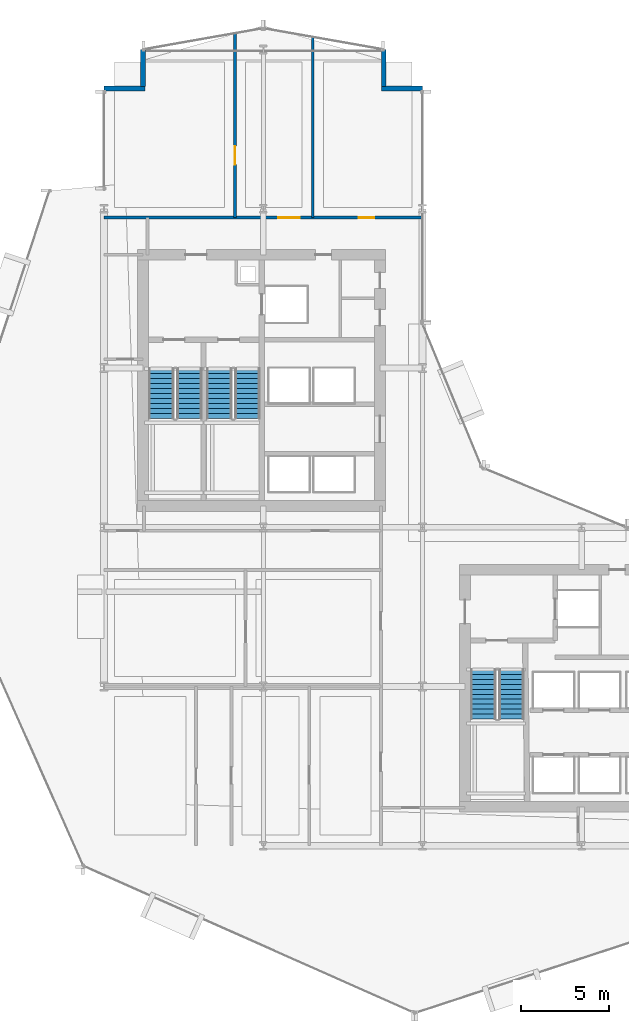
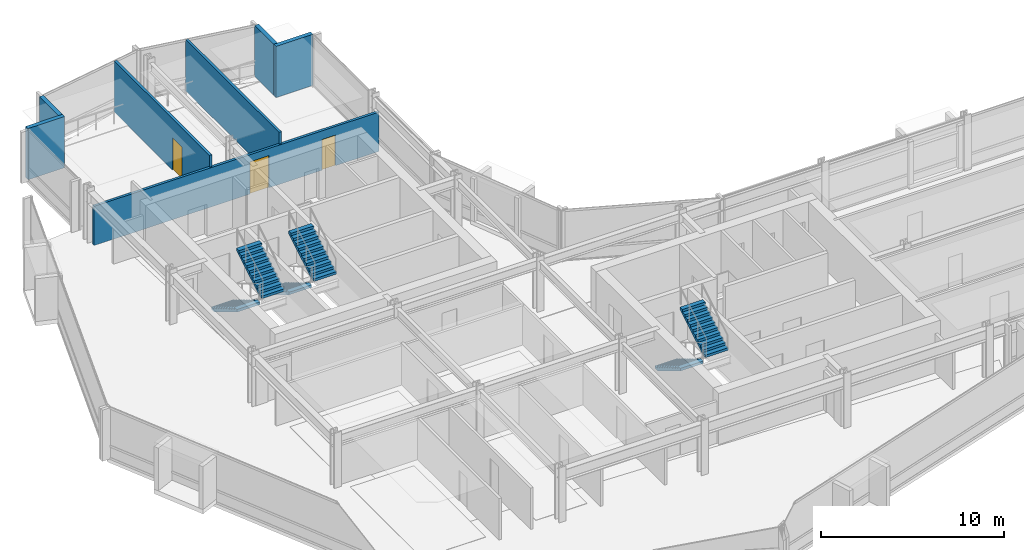
# One storey, part 29 of 34: 7 walls, 6 stair flights, 3 doors, 3 openings, 3 elements without a shape of their own.
"""IFC4 building model written with IfcOpenShell, lengths in metres."""

from ifc_helpers import new_model, si_unit, direction, frame, frame_2d, origin, place, context, subcontext, project, spatial, polyline, rectangle, outline, extrude, material, layer, layer_set, type_object, element, fill, aggregate, save


model = new_model("IFC4")

# Units and contexts
model_context = context("Model", 3, precision=1e-05, world=origin(), true_north=direction((0.0, 1.0)))
body_context = subcontext(model_context, "Body", "Model", "MODEL_VIEW")
ifc_project = project(units=[si_unit("LENGTHUNIT", "METRE"), si_unit("AREAUNIT", "SQUARE_METRE"), si_unit("VOLUMEUNIT", "CUBIC_METRE"), si_unit("PLANEANGLEUNIT", "RADIAN"), si_unit("MASSUNIT", "GRAM", prefix="KILO")], contexts=[model_context])

# Site, building, storey
site_placement = place(None, origin())
site = spatial("IfcSite", under=ifc_project, at=site_placement, CompositionType="ELEMENT")
building_placement = place(site_placement, origin())
building = spatial("IfcBuilding", under=site, at=building_placement, Name="Solvaryn Broadcast Tower", CompositionType="ELEMENT")
storey_placement = place(building_placement, frame((0.0, 0.0, 50.800048828125)))
storey = spatial("IfcBuildingStorey", under=building, at=storey_placement, Name="L11", CompositionType="ELEMENT", Elevation=50.800048828125)

# Walls
ifc_material_1 = material(Name="Concrete f'c 50 MPa", Category="concrete")
ifc_layer_1 = layer(ifc_material_1, 0.260009765625)
ifc_layer_set_1 = layer_set([ifc_layer_1], Name="EW-PIER-260")
wall_type_1 = type_object("IfcWallType", Name="EW-PIER-260", PredefinedType="SOLIDWALL", material=ifc_layer_set_1)
wall_1_placement = place(storey_placement, frame((9.0, 51.800048828125, 0.0), z_axis=(0.0, 0.0, 1.0), x_axis=(1.0, 0.0, 0.0)))
element("IfcWall", 1, at=wall_1_placement, inside=storey, type_object=wall_type_1, Name="L11 Notched Corner Pier Wall NNW1", PredefinedType="SOLIDWALL", context=body_context, shape_type="SweptSolid", body=[
    extrude(rectangle(XDim=2.320068359375, YDim=0.260009765625, at=frame_2d((1.16015625, 0.0))), origin(), (0.0, 0.0, 1.0), 3.419921875),
])
for number, where, z_axis, x_axis, name in (
    (2, (11.199951171875, 51.919921875, 0.0), (0.0, 0.0, 1.0), (0.0, 1.0, 0.0), "L11 Notched Corner Pier Wall NNW2"),
    (3, (24.800048828125, 54.0, 0.0), (0.0, 0.0, 1.0), (0.0, -1.0, 0.0), "L11 Notched Corner Pier Wall NNE1"),
):
    element("IfcWall", number, at=place(storey_placement, frame(where, z_axis=z_axis, x_axis=x_axis)), inside=storey, type_object=wall_type_1, Name=name, PredefinedType="SOLIDWALL", context=body_context, shape_type="SweptSolid", body=[
        extrude(rectangle(XDim=2.080078125, YDim=0.260009765625, at=frame_2d((1.0400390625, 0.0))), origin(), (0.0, 0.0, 1.0), 3.419921875),
    ])
wall_2_placement = place(storey_placement, frame((24.679931640625, 51.800048828125, 0.0), z_axis=(0.0, 0.0, 1.0), x_axis=(1.0, 0.0, 0.0)))
element("IfcWall", 4, at=wall_2_placement, inside=storey, type_object=wall_type_1, Name="L11 Notched Corner Pier Wall NNE2", PredefinedType="SOLIDWALL", context=body_context, shape_type="SweptSolid", body=[
    extrude(rectangle(XDim=2.320068359375, YDim=0.260009765625, at=frame_2d((1.16015625, 0.0))), origin(), (0.0, 0.0, 1.0), 3.419921875),
])

# Wall, openings, doors
ifc_material_2 = material(Name="Metal-Stud Gypsum Office Partition")
ifc_layer_2 = layer(ifc_material_2, 0.159912109375)
ifc_layer_set_2 = layer_set([ifc_layer_2], Name="IW-PART-160")
wall_type_2 = type_object("IfcWallType", Name="IW-PART-160", PredefinedType="PARTITIONING", material=ifc_layer_set_2)
wall_3_placement = place(storey_placement, frame((9.0, 44.5, 0.0), z_axis=(0.0, 0.0, 1.0), x_axis=(1.0, 0.0, 0.0)))
wall_3 = element("IfcWall", 5, at=wall_3_placement, inside=storey, type_object=wall_type_2, Name="L11 Interior Partition IW-L11-NW-SB", PredefinedType="PARTITIONING", context=body_context, shape_type="SweptSolid", body=[
    extrude(rectangle(XDim=18.0, YDim=0.159912109375, at=frame_2d((9.0, 0.0))), origin(), (0.0, 0.0, 1.0), 2.626953125),
])
opening_1_placement = place(wall_3_placement, frame((9.85009765625, 0.0, 0.0)))
opening_1 = element("IfcOpeningElement", 6, at=opening_1_placement, cuts=wall_3, Name="Opening ID04", PredefinedType="OPENING", context=body_context, shape_type="SweptSolid", body=[
    extrude(rectangle(XDim=1.199951171875, YDim=2.14990234375, at=frame_2d((0.60009765625, 1.074951171875))), frame((0.0, 0.090087890625, 0.0), z_axis=(0.0, -1.0, 0.0), x_axis=(1.0, 0.0, 0.0)), (0.0, 0.0, 1.0), 0.179931640625),
])
opening_2_placement = place(wall_3_placement, frame((14.39990234375, 0.0, 0.0)))
opening_2 = element("IfcOpeningElement", 7, at=opening_2_placement, cuts=wall_3, Name="Opening ID07", PredefinedType="OPENING", context=body_context, shape_type="SweptSolid", body=[
    extrude(rectangle(XDim=0.860107421875, YDim=2.050048828125, at=frame_2d((0.43017578125, 1.02490234375))), frame((0.0, 0.090087890625, 0.0), z_axis=(0.0, -1.0, 0.0), x_axis=(1.0, 0.0, 0.0)), (0.0, 0.0, 1.0), 0.179931640625),
])
ifc_material_3 = material(Name="Flush Acoustic Steel and Timber Door Assembly", Category="steel")
door_type_1 = type_object("IfcDoorType", Name="ID-04-1200X2150", OperationType="NOTDEFINED", PredefinedType="DOOR", material=ifc_material_3)
door_1_placement = place(opening_1_placement, origin())
door_1 = element("IfcDoor", 8, at=door_1_placement, inside=storey, type_object=door_type_1, Name="L11 Door DR-L11-NW-2", OperationType="SINGLE_SWING_LEFT", OverallHeight=2.14990234375, OverallWidth=1.199951171875, PredefinedType="DOOR", context=body_context, shape_type="SweptSolid", body=[
    extrude(rectangle(XDim=1.199951171875, YDim=2.14990234375, at=frame_2d((0.60009765625, 1.074951171875))), frame((0.0, 0.02490234375, 0.0), z_axis=(0.0, -1.0, 0.0), x_axis=(1.0, 0.0, 0.0)), (0.0, 0.0, 1.0), 0.050048828125),
])
fill(opening_1, door_1)
ifc_material_4 = material(Name="Flush Acoustic Steel and Timber Door Assembly", Category="steel")
door_type_2 = type_object("IfcDoorType", Name="ID-07-860X2050", OperationType="NOTDEFINED", PredefinedType="DOOR", material=ifc_material_4)
door_2_placement = place(opening_2_placement, origin())
door_2 = element("IfcDoor", 9, at=door_2_placement, inside=storey, type_object=door_type_2, Name="L11 Door DR-L11-NW-3", OperationType="SINGLE_SWING_RIGHT", OverallHeight=2.050048828125, OverallWidth=0.860107421875, PredefinedType="DOOR", context=body_context, shape_type="SweptSolid", body=[
    extrude(rectangle(XDim=0.860107421875, YDim=2.050048828125, at=frame_2d((0.43017578125, 1.02490234375))), frame((0.0, 0.02490234375, 0.0), z_axis=(0.0, -1.0, 0.0), x_axis=(1.0, 0.0, 0.0)), (0.0, 0.0, 1.0), 0.050048828125),
])
fill(opening_2, door_2)

# Wall, opening, door
wall_4_placement = place(storey_placement, frame((16.39990234375, 44.5, 0.0), z_axis=(0.0, 0.0, 1.0), x_axis=(0.0, 1.0, 0.0)))
wall_4 = element("IfcWall", 10, at=wall_4_placement, inside=storey, type_object=wall_type_2, Name="L11 Interior Partition IW-L11-NW-V1", PredefinedType="PARTITIONING", context=body_context, shape_type="SweptSolid", body=[
    extrude(rectangle(XDim=10.41796875, YDim=0.159912109375, at=frame_2d((5.208984375, 0.0))), origin(), (0.0, 0.0, 1.0), 3.419921875),
])
opening_3_placement = place(wall_4_placement, frame((3.0, 0.0, 0.0)))
opening_3 = element("IfcOpeningElement", 11, at=opening_3_placement, cuts=wall_4, Name="Opening ID03", PredefinedType="OPENING", context=body_context, shape_type="SweptSolid", body=[
    extrude(rectangle(XDim=1.050048828125, YDim=2.14990234375, at=frame_2d((0.52490234375, 1.074951171875))), frame((0.0, 0.090087890625, 0.0), z_axis=(0.0, -1.0, 0.0), x_axis=(1.0, 0.0, 0.0)), (0.0, 0.0, 1.0), 0.179931640625),
])
ifc_material_5 = material(Name="Flush Acoustic Steel and Timber Door Assembly", Category="steel")
door_type_3 = type_object("IfcDoorType", Name="ID-03-1050X2150", OperationType="NOTDEFINED", PredefinedType="DOOR", material=ifc_material_5)
door_3_placement = place(opening_3_placement, origin())
door_3 = element("IfcDoor", 12, at=door_3_placement, inside=storey, type_object=door_type_3, Name="L11 Door DR-L11-NW-C1", OperationType="SINGLE_SWING_RIGHT", OverallHeight=2.14990234375, OverallWidth=1.050048828125, PredefinedType="DOOR", context=body_context, shape_type="SweptSolid", body=[
    extrude(rectangle(XDim=1.050048828125, YDim=2.14990234375, at=frame_2d((0.52490234375, 1.074951171875))), frame((0.0, 0.02490234375, 0.0), z_axis=(0.0, -1.0, 0.0), x_axis=(1.0, 0.0, 0.0)), (0.0, 0.0, 1.0), 0.050048828125),
])
fill(opening_3, door_3)

# Wall
wall_5_placement = place(storey_placement, frame((20.800048828125, 44.5, 0.0), z_axis=(0.0, 0.0, 1.0), x_axis=(0.0, 1.0, 0.0)))
element("IfcWall", 13, at=wall_5_placement, inside=storey, type_object=wall_type_2, Name="L11 Interior Partition IW-L11-NW-V2", PredefinedType="PARTITIONING", context=body_context, shape_type="SweptSolid", body=[
    extrude(rectangle(XDim=10.2060546875, YDim=0.159912109375, at=frame_2d((5.10302734375, 0.0))), origin(), (0.0, 0.0, 1.0), 3.419921875),
])

# Stair, stair flights
ifc_material_6 = material(Name="Concrete f'c 60 MPa", Category="concrete")
stair_type = type_object("IfcStairType", Name="ST-CORE", PredefinedType="HALF_TURN_STAIR", material=ifc_material_6)
stair_1_placement = place(storey_placement, origin())
stair_1 = element("IfcStair", 14, at=stair_1_placement, inside=storey, type_object=stair_type, Name="L11 ST1", PredefinedType="HALF_TURN_STAIR")
ifc_material_7 = material(Name="Concrete f'c 60 MPa", Category="concrete")
ifc_layer_3 = layer(ifc_material_7, 0.159912109375)
ifc_layer_set_3 = layer_set([ifc_layer_3], Name="SF-CORE")
stair_flight_type = type_object("IfcStairFlightType", Name="SF-CORE", PredefinedType="STRAIGHT", material=ifc_layer_set_3)
stair_flight_1_placement = place(storey_placement, frame((12.239990234375, 35.9599609375, 0.0), z_axis=(0.0, 0.0, 1.0), x_axis=(0.0, -1.0, 0.0)))
stair_flight_1 = element("IfcStairFlight", 15, at=stair_flight_1_placement, type_object=stair_flight_type, Name="ST1 flight 1", NumberOfRisers=11, NumberOfTreads=10, PredefinedType="STRAIGHT", RiserHeight=0.168181818, TreadLength=0.28, context=body_context, shape_type="SweptSolid", body=[
    extrude(outline(polyline([(0.0, 0.0), (0.0, 0.168212890625), (0.280029296875, 0.168212890625), (0.280029296875, 0.33642578125), (0.56005859375, 0.33642578125), (0.56005859375, 0.504638671875), (0.840087890625, 0.504638671875), (0.840087890625, 0.672607421875), (1.1201171875, 0.672607421875), (1.1201171875, 0.8408203125), (1.39990234375, 0.8408203125), (1.39990234375, 1.009033203125), (1.679931640625, 1.009033203125), (1.679931640625, 1.17724609375), (1.9599609375, 1.17724609375), (1.9599609375, 1.345458984375), (2.239990234375, 1.345458984375), (2.239990234375, 1.513671875), (2.52001953125, 1.513671875), (2.52001953125, 1.681884765625), (2.800048828125, 1.681884765625), (2.800048828125, 1.85009765625), (2.800048828125, 1.5068359375), (0.291015625, 0.0), (0.0, 0.0)])), frame((0.0, 0.719970703125, 0.0), z_axis=(0.0, -1.0, 0.0), x_axis=(1.0, 0.0, 0.0)), (0.0, 0.0, 1.0), 1.43994140625),
])
stair_flight_2_placement = place(storey_placement, frame((13.830078125, 33.159912109375, 1.849853515625), z_axis=(0.0, 0.0, 1.0), x_axis=(0.0, 1.0, 0.0)))
stair_flight_2 = element("IfcStairFlight", 16, at=stair_flight_2_placement, type_object=stair_flight_type, Name="ST1 flight 2", NumberOfRisers=11, NumberOfTreads=10, PredefinedType="STRAIGHT", RiserHeight=0.168181818, TreadLength=0.28, context=body_context, shape_type="SweptSolid", body=[
    extrude(outline(polyline([(0.0, 0.0), (0.0, 0.168212890625), (0.280029296875, 0.168212890625), (0.280029296875, 0.33642578125), (0.56005859375, 0.33642578125), (0.56005859375, 0.504638671875), (0.840087890625, 0.504638671875), (0.840087890625, 0.672607421875), (1.1201171875, 0.672607421875), (1.1201171875, 0.8408203125), (1.39990234375, 0.8408203125), (1.39990234375, 1.009033203125), (1.679931640625, 1.009033203125), (1.679931640625, 1.17724609375), (1.9599609375, 1.17724609375), (1.9599609375, 1.345458984375), (2.239990234375, 1.345458984375), (2.239990234375, 1.513671875), (2.52001953125, 1.513671875), (2.52001953125, 1.681884765625), (2.800048828125, 1.681884765625), (2.800048828125, 1.85009765625), (2.800048828125, 1.5068359375), (0.291015625, 0.0), (0.0, 0.0)])), frame((0.0, 0.719970703125, 0.0), z_axis=(0.0, -1.0, 0.0), x_axis=(1.0, 0.0, 0.0)), (0.0, 0.0, 1.0), 1.43994140625),
])
aggregate(stair_1, [stair_flight_1, stair_flight_2])

stair_2_placement = place(storey_placement, origin())
stair_2 = element("IfcStair", 17, at=stair_2_placement, inside=storey, type_object=stair_type, Name="L11 ST2", PredefinedType="HALF_TURN_STAIR")
stair_flight_3_placement = place(storey_placement, frame((15.52001953125, 35.9599609375, 0.0), z_axis=(0.0, 0.0, 1.0), x_axis=(0.0, -1.0, 0.0)))
stair_flight_3 = element("IfcStairFlight", 18, at=stair_flight_3_placement, type_object=stair_flight_type, Name="ST2 flight 1", NumberOfRisers=11, NumberOfTreads=10, PredefinedType="STRAIGHT", RiserHeight=0.168181818, TreadLength=0.28, context=body_context, shape_type="SweptSolid", body=[
    extrude(outline(polyline([(0.0, 0.0), (0.0, 0.168212890625), (0.280029296875, 0.168212890625), (0.280029296875, 0.33642578125), (0.56005859375, 0.33642578125), (0.56005859375, 0.504638671875), (0.840087890625, 0.504638671875), (0.840087890625, 0.672607421875), (1.1201171875, 0.672607421875), (1.1201171875, 0.8408203125), (1.39990234375, 0.8408203125), (1.39990234375, 1.009033203125), (1.679931640625, 1.009033203125), (1.679931640625, 1.17724609375), (1.9599609375, 1.17724609375), (1.9599609375, 1.345458984375), (2.239990234375, 1.345458984375), (2.239990234375, 1.513671875), (2.52001953125, 1.513671875), (2.52001953125, 1.681884765625), (2.800048828125, 1.681884765625), (2.800048828125, 1.85009765625), (2.800048828125, 1.5068359375), (0.291015625, 0.0), (0.0, 0.0)])), frame((0.0, 0.719970703125, 0.0), z_axis=(0.0, -1.0, 0.0), x_axis=(1.0, 0.0, 0.0)), (0.0, 0.0, 1.0), 1.43994140625),
])
stair_flight_4_placement = place(storey_placement, frame((17.110107421875, 33.159912109375, 1.849853515625), z_axis=(0.0, 0.0, 1.0), x_axis=(0.0, 1.0, 0.0)))
stair_flight_4 = element("IfcStairFlight", 19, at=stair_flight_4_placement, type_object=stair_flight_type, Name="ST2 flight 2", NumberOfRisers=11, NumberOfTreads=10, PredefinedType="STRAIGHT", RiserHeight=0.168181818, TreadLength=0.28, context=body_context, shape_type="SweptSolid", body=[
    extrude(outline(polyline([(0.0, 0.0), (0.0, 0.168212890625), (0.280029296875, 0.168212890625), (0.280029296875, 0.33642578125), (0.56005859375, 0.33642578125), (0.56005859375, 0.504638671875), (0.840087890625, 0.504638671875), (0.840087890625, 0.672607421875), (1.1201171875, 0.672607421875), (1.1201171875, 0.8408203125), (1.39990234375, 0.8408203125), (1.39990234375, 1.009033203125), (1.679931640625, 1.009033203125), (1.679931640625, 1.17724609375), (1.9599609375, 1.17724609375), (1.9599609375, 1.345458984375), (2.239990234375, 1.345458984375), (2.239990234375, 1.513671875), (2.52001953125, 1.513671875), (2.52001953125, 1.681884765625), (2.800048828125, 1.681884765625), (2.800048828125, 1.85009765625), (2.800048828125, 1.5068359375), (0.291015625, 0.0), (0.0, 0.0)])), frame((0.0, 0.719970703125, 0.0), z_axis=(0.0, -1.0, 0.0), x_axis=(1.0, 0.0, 0.0)), (0.0, 0.0, 1.0), 1.43994140625),
])
aggregate(stair_2, [stair_flight_3, stair_flight_4])

stair_3_placement = place(storey_placement, origin())
stair_3 = element("IfcStair", 20, at=stair_3_placement, inside=storey, type_object=stair_type, Name="L11 ST3", PredefinedType="HALF_TURN_STAIR")
stair_flight_5_placement = place(storey_placement, frame((30.43994140625, 18.9599609375, 0.0), z_axis=(0.0, 0.0, 1.0), x_axis=(0.0, -1.0, 0.0)))
stair_flight_5 = element("IfcStairFlight", 21, at=stair_flight_5_placement, type_object=stair_flight_type, Name="ST3 flight 1", NumberOfRisers=11, NumberOfTreads=10, PredefinedType="STRAIGHT", RiserHeight=0.168181818, TreadLength=0.28, context=body_context, shape_type="SweptSolid", body=[
    extrude(outline(polyline([(0.0, 0.0), (0.0, 0.168212890625), (0.280029296875, 0.168212890625), (0.280029296875, 0.33642578125), (0.56005859375, 0.33642578125), (0.56005859375, 0.504638671875), (0.840087890625, 0.504638671875), (0.840087890625, 0.672607421875), (1.1201171875, 0.672607421875), (1.1201171875, 0.8408203125), (1.39990234375, 0.8408203125), (1.39990234375, 1.009033203125), (1.679931640625, 1.009033203125), (1.679931640625, 1.17724609375), (1.9599609375, 1.17724609375), (1.9599609375, 1.345458984375), (2.239990234375, 1.345458984375), (2.239990234375, 1.513671875), (2.52001953125, 1.513671875), (2.52001953125, 1.681884765625), (2.800048828125, 1.681884765625), (2.800048828125, 1.85009765625), (2.800048828125, 1.5068359375), (0.291015625, 0.0), (0.0, 0.0)])), frame((0.0, 0.719970703125, 0.0), z_axis=(0.0, -1.0, 0.0), x_axis=(1.0, 0.0, 0.0)), (0.0, 0.0, 1.0), 1.43994140625),
])
stair_flight_6_placement = place(storey_placement, frame((32.030029296875, 16.159912109375, 1.849853515625), z_axis=(0.0, 0.0, 1.0), x_axis=(0.0, 1.0, 0.0)))
stair_flight_6 = element("IfcStairFlight", 22, at=stair_flight_6_placement, type_object=stair_flight_type, Name="ST3 flight 2", NumberOfRisers=11, NumberOfTreads=10, PredefinedType="STRAIGHT", RiserHeight=0.168181818, TreadLength=0.28, context=body_context, shape_type="SweptSolid", body=[
    extrude(outline(polyline([(0.0, 0.0), (0.0, 0.168212890625), (0.280029296875, 0.168212890625), (0.280029296875, 0.33642578125), (0.56005859375, 0.33642578125), (0.56005859375, 0.504638671875), (0.840087890625, 0.504638671875), (0.840087890625, 0.672607421875), (1.1201171875, 0.672607421875), (1.1201171875, 0.8408203125), (1.39990234375, 0.8408203125), (1.39990234375, 1.009033203125), (1.679931640625, 1.009033203125), (1.679931640625, 1.17724609375), (1.9599609375, 1.17724609375), (1.9599609375, 1.345458984375), (2.239990234375, 1.345458984375), (2.239990234375, 1.513671875), (2.52001953125, 1.513671875), (2.52001953125, 1.681884765625), (2.800048828125, 1.681884765625), (2.800048828125, 1.85009765625), (2.800048828125, 1.5068359375), (0.291015625, 0.0), (0.0, 0.0)])), frame((0.0, 0.719970703125, 0.0), z_axis=(0.0, -1.0, 0.0), x_axis=(1.0, 0.0, 0.0)), (0.0, 0.0, 1.0), 1.43994140625),
])
aggregate(stair_3, [stair_flight_5, stair_flight_6])

save(model, "model.ifc")
